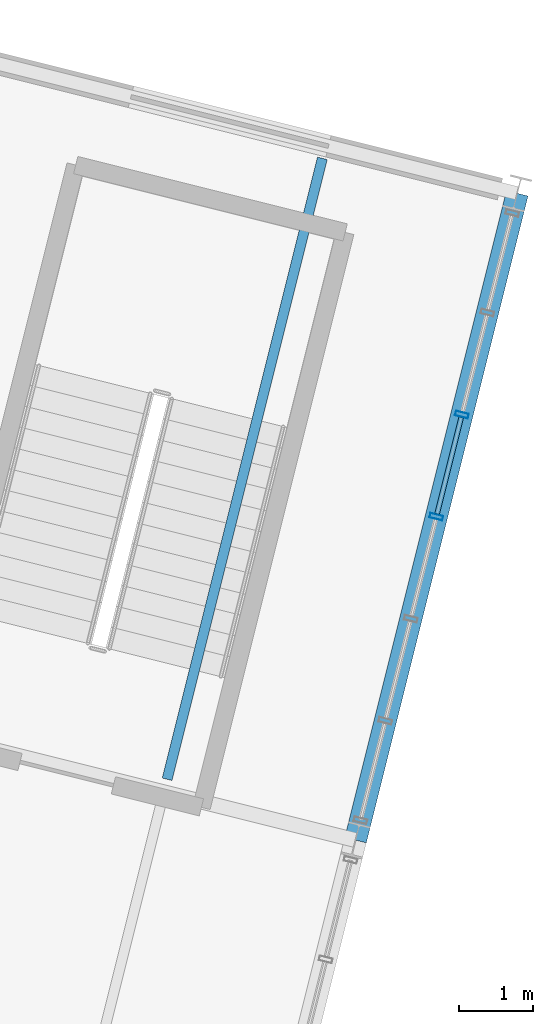
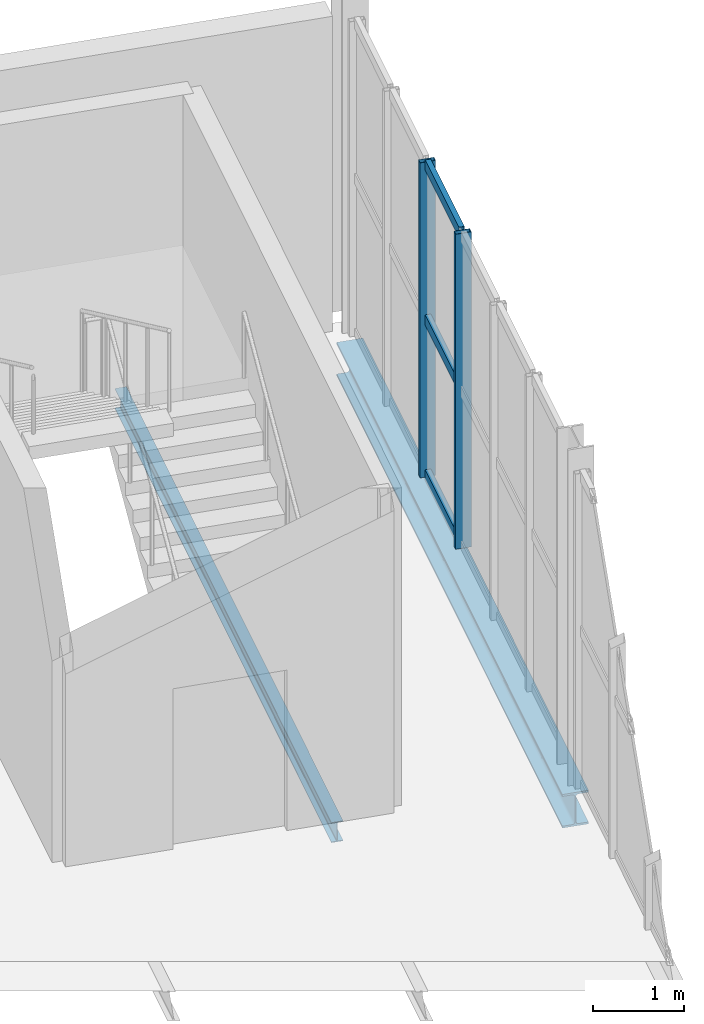
# One storey, part 99 of 152: 5 members, 2 beams, 1 element without a shape of its own.
"""IFC4 building model written with IfcOpenShell, lengths in metres."""

import ifcopenshell
import ifcopenshell.guid

model = None  # the IFC model being written
_history = None  # IfcOwnerHistory: only IFC2X3 demands one
_inside = {}  # id of a spatial element -> (the spatial element, [elements in it])
_under = {}  # id of a project, library or spatial element -> (it, [spatial elements below it])
_declared = {}  # id of a project -> (the project, [libraries it declares])
_typed = {}  # id of a type object -> (the type object, [elements of that type])
_made_of = {}  # id of a material, layer set ... -> (it, [elements and type objects made of it])


def new_model(schema):
    """Start an empty IFC model of exactly this schema.

    Asked for "IFC4X3", IfcOpenShell would pick the latest addendum, in which some entities
    have other attributes; the version numbers below select the first issue.
    IFC2X3 requires an IfcOwnerHistory on every rooted entity: one is made here for all.
    """
    global model, _history
    if schema == "IFC4X3":
        model = ifcopenshell.file(schema_version=(4, 3, 0, 0))
    else:
        model = ifcopenshell.file(schema=schema)
    _inside.clear()
    _under.clear()
    _declared.clear()
    _typed.clear()
    _made_of.clear()
    _history = None
    if model.schema == "IFC2X3":
        org = make("IfcOrganization", Name="unknown")
        user = make(
            "IfcPersonAndOrganization",
            ThePerson=make("IfcPerson", FamilyName="unknown"),
            TheOrganization=org,
        )
        app = make(
            "IfcApplication",
            ApplicationDeveloper=org,
            Version="unknown",
            ApplicationFullName="unknown",
            ApplicationIdentifier="unknown",
        )
        _history = make(
            "IfcOwnerHistory",
            OwningUser=user,
            OwningApplication=app,
            ChangeAction="ADDED",
            CreationDate=0,
        )
    return model


def make(cls, **values):
    """One entity of the class cls with the attributes given. An attribute that is None is left unset."""
    return model.create_entity(
        cls, **{name: value for name, value in values.items() if value is not None}
    )


def rooted(cls, **values):
    """An entity with a GlobalId (a new one), such as an element, a storey or a relation."""
    return make(cls, GlobalId=ifcopenshell.guid.new(), OwnerHistory=_history, **values)


def si_unit(unit_type, name, prefix=None):
    """IfcSIUnit, for example si_unit("LENGTHUNIT", "METRE", prefix="MILLI")."""
    return make("IfcSIUnit", UnitType=unit_type, Prefix=prefix, Name=name)


def derived_unit(unit_type, elements):
    """IfcDerivedUnit: a product of units, each with its exponent."""
    return make(
        "IfcDerivedUnit",
        Elements=[
            make("IfcDerivedUnitElement", Unit=unit, Exponent=power)
            for unit, power in elements
        ],
        UnitType=unit_type,
    )


def assignment(units):
    """IfcUnitAssignment: the units of a project."""
    return None if units is None else make("IfcUnitAssignment", Units=units)


def point(xyz):
    """IfcCartesianPoint."""
    return None if xyz is None else make("IfcCartesianPoint", Coordinates=xyz)


def direction(xyz):
    """IfcDirection."""
    return None if xyz is None else make("IfcDirection", DirectionRatios=xyz)


def frame(location, z_axis=None, x_axis=None):
    """IfcAxis2Placement3D, a coordinate frame: its origin and axes. An axis left out is left unset."""
    return make(
        "IfcAxis2Placement3D",
        Location=point(location),
        Axis=direction(z_axis),
        RefDirection=direction(x_axis),
    )


def frame_2d(location, x_axis=None):
    """IfcAxis2Placement2D, a coordinate frame in the plane: its origin and x axis."""
    return make(
        "IfcAxis2Placement2D", Location=point(location), RefDirection=direction(x_axis)
    )


def origin():
    """The frame at (0, 0, 0) with its axes left unset."""
    return frame((0.0, 0.0, 0.0))


def origin_2d():
    """The frame at (0, 0) in the plane with its x axis left unset."""
    return frame_2d((0.0, 0.0))


def place(relative_to, where):
    """IfcLocalPlacement: puts the frame where relative to a parent placement (None: the world)."""
    return make(
        "IfcLocalPlacement", PlacementRelTo=relative_to, RelativePlacement=where
    )


def context(
    kind, dimensions, precision=None, world=None, true_north=None, identifier=None
):
    """IfcGeometricRepresentationContext, for example the 3D "Model" context."""
    return make(
        "IfcGeometricRepresentationContext",
        ContextIdentifier=identifier,
        ContextType=kind,
        CoordinateSpaceDimension=dimensions,
        Precision=precision,
        WorldCoordinateSystem=world,
        TrueNorth=true_north,
    )


def subcontext(parent, identifier, kind, view, scale=None):
    """IfcGeometricRepresentationSubContext, for example "Body" below "Model"."""
    return make(
        "IfcGeometricRepresentationSubContext",
        ContextIdentifier=identifier,
        ContextType=kind,
        ParentContext=parent,
        TargetScale=scale,
        TargetView=view,
    )


def project(units=None, contexts=None):
    """IfcProject with its units and contexts."""
    return rooted(
        "IfcProject",
        Name="project",
        RepresentationContexts=contexts,
        UnitsInContext=assignment(units),
    )


def spatial(cls, under=None, at=None, **own):
    """A site, building, storey or space (cls), placed at a placement, below another one or the project."""
    s = rooted(cls, ObjectPlacement=at, **own)
    if under is not None:
        _under.setdefault(under.id(), (under, []))[1].append(s)
    return s


def profile(cls, at=None, kind="AREA", **sizes):
    """A parametric profile (cls). Its sizes go by their IFC names, for example OverallWidth=200.0."""
    return make(cls, ProfileType=kind, Position=at, **sizes)


def hollow_rectangle(**sizes):
    """IfcRectangleHollowProfileDef."""
    return profile("IfcRectangleHollowProfileDef", **sizes)


def i_section(**sizes):
    """IfcIShapeProfileDef."""
    return profile("IfcIShapeProfileDef", **sizes)


def extrude(swept, where, along, depth):
    """IfcExtrudedAreaSolid: the profile swept, set in the frame where, extruded along a direction by depth."""
    return make(
        "IfcExtrudedAreaSolid",
        SweptArea=swept,
        Position=where,
        ExtrudedDirection=direction(along),
        Depth=depth,
    )


def shape(context_of_items, identifier, shape_type, items):
    """IfcShapeRepresentation: the items that make up one representation, for example the "Body"."""
    return make(
        "IfcShapeRepresentation",
        ContextOfItems=context_of_items,
        RepresentationIdentifier=identifier,
        RepresentationType=shape_type,
        Items=items,
    )


def material(Name=None, Category=None):
    """IfcMaterial."""
    return make("IfcMaterial", Name=Name, Category=Category)


def material_profile(
    of_material, cross_section, Name=None, Category=None, Priority=None
):
    """IfcMaterialProfile: a cross section and its material."""
    return make(
        "IfcMaterialProfile",
        Name=Name,
        Material=of_material,
        Profile=cross_section,
        Priority=Priority,
        Category=Category,
    )


def profile_set(profiles, Name=None, composite=None):
    """IfcMaterialProfileSet."""
    return make(
        "IfcMaterialProfileSet",
        Name=Name,
        MaterialProfiles=profiles,
        CompositeProfile=composite,
    )


def made_of(thing, what):
    """Note that an element or type object is made of a material, layer set ...; save() writes the relation."""
    if what is not None:
        _made_of.setdefault(what.id(), (what, []))[1].append(thing)
    return thing


def type_object(cls, material=None, **own):
    """A type object (cls), such as IfcWallType, which elements share."""
    return made_of(rooted(cls, **own), material)


def element(
    cls,
    number,
    at=None,
    inside=None,
    cuts=None,
    type_object=None,
    material=None,
    context=None,
    identifier="Body",
    shape_type=None,
    held_by="IfcProductDefinitionShape",
    body=None,
    shapes=None,
    **own,
):
    """One element of the class cls, such as IfcWall. Its Tag is "e" and its number.

    at: its placement. inside: the storey or other place that contains it. cuts: it is an
    opening in that element (IfcRelVoidsElement). A single representation is given by context,
    identifier, shape_type and body (its items); several are given by shapes. held_by: the class
    of the entity that holds the representations. save() writes the other relations.
    """
    e = rooted(cls, Tag="e%d" % number, ObjectPlacement=at, **own)
    if body is not None:
        shapes = [shape(context, identifier, shape_type, body)]
    if shapes is not None:
        e.Representation = make(held_by, Representations=shapes)
    if inside is not None:
        _inside.setdefault(inside.id(), (inside, []))[1].append(e)
    if cuts is not None:
        rooted(
            "IfcRelVoidsElement", RelatingBuildingElement=cuts, RelatedOpeningElement=e
        )
    if type_object is not None:
        _typed.setdefault(type_object.id(), (type_object, []))[1].append(e)
    return made_of(e, material)


def aggregate(whole, parts):
    """IfcRelAggregates: a whole, such as a stair, and the parts it consists of."""
    return rooted("IfcRelAggregates", RelatingObject=whole, RelatedObjects=parts)


def save(model, path):
    """Write the relations noted so far, then the file.

    IfcRelAggregates (storeys below a building ...), IfcRelContainedInSpatialStructure (elements
    in a storey), IfcRelDefinesByType, IfcRelAssociatesMaterial and IfcRelDeclares: one each for
    every whole, place, type object, material and project.
    """
    for whole, parts in _under.values():
        aggregate(whole, parts)
    for where, things in _inside.values():
        rooted(
            "IfcRelContainedInSpatialStructure",
            RelatedElements=things,
            RelatingStructure=where,
        )
    for kind, things in _typed.values():
        rooted("IfcRelDefinesByType", RelatedObjects=things, RelatingType=kind)
    for what, things in _made_of.values():
        rooted("IfcRelAssociatesMaterial", RelatedObjects=things, RelatingMaterial=what)
    for by, libraries in _declared.values():
        rooted("IfcRelDeclares", RelatingContext=by, RelatedDefinitions=libraries)
    model.write(path)


model = new_model("IFC4")

# Units and contexts
model_context = context("Model", 3, precision=1e-05, world=origin(), true_north=direction((0.0, 1.0)))
body_context = subcontext(model_context, "Body", "Model", "MODEL_VIEW")
ifc_project = project(units=[si_unit("LENGTHUNIT", "METRE"), si_unit("AREAUNIT", "SQUARE_METRE"), si_unit("VOLUMEUNIT", "CUBIC_METRE"), si_unit("PLANEANGLEUNIT", "RADIAN"), si_unit("MASSUNIT", "GRAM", prefix="KILO"), si_unit("THERMODYNAMICTEMPERATUREUNIT", "KELVIN"), si_unit("TIMEUNIT", "SECOND"), derived_unit("THERMALTRANSMITTANCEUNIT", [(si_unit("MASSUNIT", "GRAM", prefix="KILO"), 1), (si_unit("THERMODYNAMICTEMPERATUREUNIT", "KELVIN"), -1), (si_unit("TIMEUNIT", "SECOND"), -3)])], contexts=[model_context])

# Site, building, storey
site_placement = place(None, origin())
site = spatial("IfcSite", under=ifc_project, at=site_placement, CompositionType="ELEMENT")
building_placement = place(site_placement, origin())
building = spatial("IfcBuilding", under=site, at=building_placement, Name="Cambertide Market Hall", CompositionType="ELEMENT")
storey_placement = place(building_placement, frame((0.0, 0.0, 5.39990234375)))
storey = spatial("IfcBuildingStorey", under=building, at=storey_placement, Name="L02", CompositionType="ELEMENT", Elevation=5.39990234375)

# Curtain wall, members
ifc_material_1 = material(Name="Marine Anodized Aluminium 6063-T6 AA25", Category="aluminium")
curtain_wall_type = type_object("IfcCurtainWallType", Name="Cooking School Classroom Curtain Wall", PredefinedType="USERDEFINED", material=ifc_material_1)
curtain_wall_placement = place(storey_placement, origin())
curtain_wall = element("IfcCurtainWall", 1, at=curtain_wall_placement, inside=storey, type_object=curtain_wall_type, Name="Level 2 Curtain Wall CW-V4E-L02-3", ObjectType="UNITIZED CURTAIN WALL", PredefinedType="USERDEFINED")
ifc_material_2 = material(Name="Champagne Marine Anodized Aluminium 6063-T6 AA25", Category="aluminium")
ifc_material_profile_1 = material_profile(ifc_material_2, hollow_rectangle(XDim=0.06494140625, YDim=0.179931640625, WallThickness=0.00390625, at=origin_2d()), Name="ALU MULLION 65x180")
ifc_profile_set_1 = profile_set([ifc_material_profile_1], Name="Champagne Marine Anodized Aluminium 6063-T6 AA25")
member_type_1 = type_object("IfcMemberType", Name="Curtain Wall Mullion ALU MULLION 65x180", PredefinedType="MULLION", material=ifc_profile_set_1)
member_1_placement = place(storey_placement, frame((175.890625, 107.68359375, 0.0), z_axis=(0.0, 0.0, 1.0), x_axis=(-0.242535569805, -0.970142513953, 0.0)))
member_1 = element("IfcMember", 2, at=member_1_placement, type_object=member_type_1, Name="CW-V4E-L02-3 Mullion 3", PredefinedType="MULLION", context=body_context, shape_type="SweptSolid", body=[
    extrude(hollow_rectangle(XDim=0.06494140625, YDim=0.179931640625, WallThickness=0.00390625, at=origin_2d()), origin(), (0.0, 0.0, 1.0), 4.22021484375),
])
member_2_placement = place(storey_placement, frame((175.546142578125, 106.305908203125, 0.0), z_axis=(0.0, 0.0, 1.0), x_axis=(-0.242535569805, -0.970142513953, 0.0)))
member_2 = element("IfcMember", 3, at=member_2_placement, type_object=member_type_1, Name="CW-V4E-L02-3 Mullion 4", PredefinedType="MULLION", context=body_context, shape_type="SweptSolid", body=[
    extrude(hollow_rectangle(XDim=0.06494140625, YDim=0.179931640625, WallThickness=0.00390625, at=origin_2d()), origin(), (0.0, 0.0, 1.0), 4.22021484375),
])
ifc_material_3 = material(Name="Champagne Marine Anodized Aluminium 6063-T6 AA25", Category="aluminium")
ifc_material_profile_2 = material_profile(ifc_material_3, hollow_rectangle(XDim=0.06494140625, YDim=0.139892578125, WallThickness=0.00341796875, at=origin_2d()), Name="ALU TRANSOM 65x140")
ifc_profile_set_2 = profile_set([ifc_material_profile_2], Name="Champagne Marine Anodized Aluminium 6063-T6 AA25")
member_type_2 = type_object("IfcMemberType", Name="Curtain Wall Transom ALU TRANSOM 65x140", PredefinedType="USERDEFINED", material=ifc_profile_set_2)
member_3_placement = place(storey_placement, frame((175.880859375, 107.644775390625, 0.03515625), z_axis=(-0.242492756941, -0.970153216163, 0.0), x_axis=(0.970153216163, -0.242492756941, 0.0)))
member_3 = element("IfcMember", 4, at=member_3_placement, type_object=member_type_2, Name="CW-V4E-L02-3 Transom 1-3", ObjectType="TRANSOM", PredefinedType="USERDEFINED", context=body_context, shape_type="SweptSolid", body=[
    extrude(hollow_rectangle(XDim=0.06494140625, YDim=0.139892578125, WallThickness=0.00341796875, at=origin_2d()), origin(), (0.0, 0.0, 1.0), 1.340087890625),
])
member_4_placement = place(storey_placement, frame((175.880859375, 107.644775390625, 2.110107421875), z_axis=(-0.242492756941, -0.970153216163, 0.0), x_axis=(0.970153216163, -0.242492756941, 0.0)))
member_4 = element("IfcMember", 5, at=member_4_placement, type_object=member_type_2, Name="CW-V4E-L02-3 Transom 2-3", ObjectType="TRANSOM", PredefinedType="USERDEFINED", context=body_context, shape_type="SweptSolid", body=[
    extrude(hollow_rectangle(XDim=0.06494140625, YDim=0.139892578125, WallThickness=0.00341796875, at=origin_2d()), origin(), (0.0, 0.0, 1.0), 1.340087890625),
])
member_5_placement = place(storey_placement, frame((175.880859375, 107.644775390625, 4.18505859375), z_axis=(-0.242492756941, -0.970153216163, 0.0), x_axis=(0.970153216163, -0.242492756941, 0.0)))
member_5 = element("IfcMember", 6, at=member_5_placement, type_object=member_type_2, Name="CW-V4E-L02-3 Transom 3-3", ObjectType="TRANSOM", PredefinedType="USERDEFINED", context=body_context, shape_type="SweptSolid", body=[
    extrude(hollow_rectangle(XDim=0.06494140625, YDim=0.139892578125, WallThickness=0.00341796875, at=origin_2d()), origin(), (0.0, 0.0, 1.0), 1.340087890625),
])
aggregate(curtain_wall, [member_1, member_2, member_3, member_4, member_5])

# Beams
ifc_material_4 = material(Name="Steel S355", Category="steel")
ifc_material_profile_3 = material_profile(ifc_material_4, i_section(OverallWidth=0.300048828125, OverallDepth=0.449951171875, WebThickness=0.013916015625, FlangeThickness=0.02587890625, FilletRadius=0.027099609375, at=origin_2d()), Name="HEB 450")
ifc_profile_set_3 = profile_set([ifc_material_profile_3], Name="Steel S355")
beam_type_1 = type_object("IfcBeamType", Name="Steel Girder HEB 450", PredefinedType="BEAM", material=ifc_profile_set_3)
beam_1_placement = place(storey_placement, frame((174.454833984375, 101.940185546875, -0.489990234375), z_axis=(0.242535625036, 0.970142500145, 0.0), x_axis=(-0.970142500145, 0.242535625036, 0.0)))
element("IfcBeam", 7, at=beam_1_placement, inside=storey, type_object=beam_type_1, Name="Level 2 Beam BM-V4V-L02-9-3", PredefinedType="BEAM", context=body_context, shape_type="SweptSolid", body=[
    extrude(i_section(OverallWidth=0.300048828125, OverallDepth=0.449951171875, WebThickness=0.013916015625, FlangeThickness=0.02587890625, FilletRadius=0.027099609375, at=origin_2d()), origin(), (0.0, 0.0, 1.0), 9.000244140625),
])
ifc_material_5 = material(Name="Steel S275", Category="steel")
ifc_material_profile_4 = material_profile(ifc_material_5, i_section(OverallWidth=0.135009765625, OverallDepth=0.27001953125, WebThickness=0.006591796875, FlangeThickness=0.01025390625, FilletRadius=0.014892578125, at=origin_2d()), Name="IPE 270")
ifc_profile_set_4 = profile_set([ifc_material_profile_4], Name="Steel S275")
beam_type_2 = type_object("IfcBeamType", Name="Steel Secondary Joist IPE 270", PredefinedType="JOIST", material=ifc_profile_set_4)
beam_2_placement = place(storey_placement, frame((171.911376953125, 102.76171875, -0.39990234375), z_axis=(0.242528976348, 0.970144162293, 0.0), x_axis=(-0.970144162293, 0.242528976348, 0.0)))
element("IfcBeam", 8, at=beam_2_placement, inside=storey, type_object=beam_type_2, Name="Level 2 Joist JS-V4-L02-8-3-2", PredefinedType="JOIST", context=body_context, shape_type="SweptSolid", body=[
    extrude(i_section(OverallWidth=0.135009765625, OverallDepth=0.27001953125, WebThickness=0.006591796875, FlangeThickness=0.01025390625, FilletRadius=0.014892578125, at=origin_2d()), origin(), (0.0, 0.0, 1.0), 8.64013671875),
])

save(model, "model.ifc")
